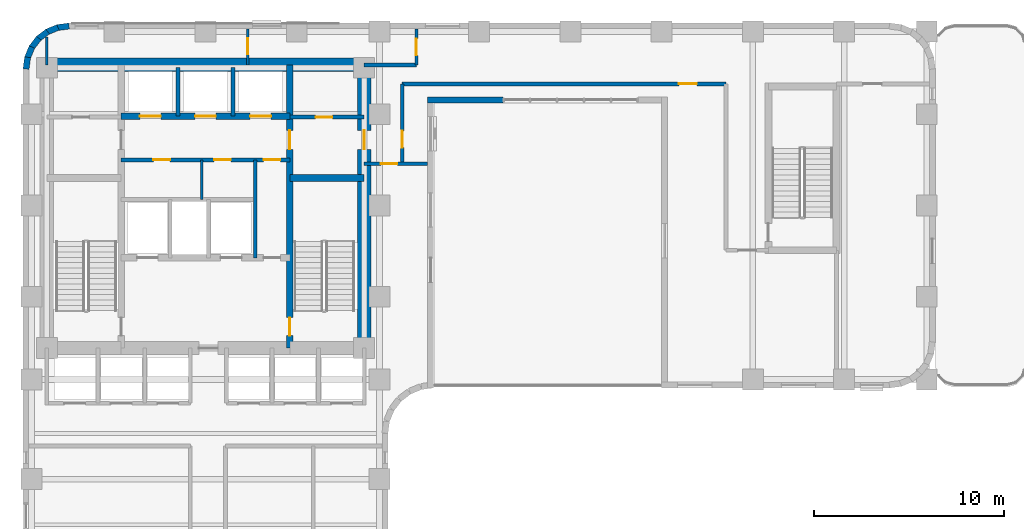
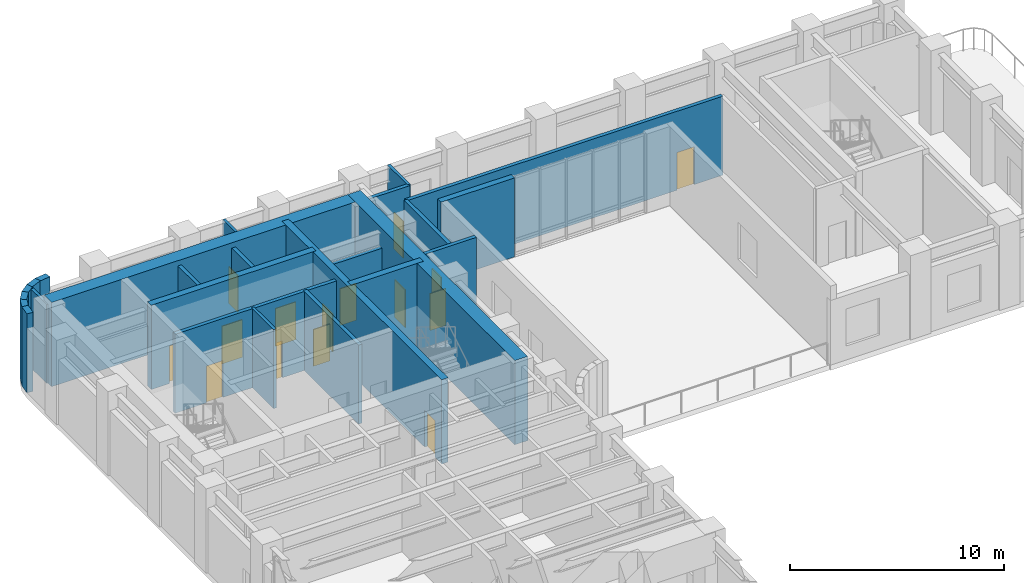
# One storey, part 8 of 12: 25 walls, 15 doors, 15 openings.
"""IFC4 building model written with IfcOpenShell, lengths in metres."""

from ifc_helpers import new_model, si_unit, direction, frame, frame_2d, origin, place, context, subcontext, project, spatial, rectangle, extrude, material, layer, layer_set, type_object, element, fill, save


model = new_model("IFC4")

# Units and contexts
model_context = context("Model", 3, precision=1e-05, world=origin(), true_north=direction((0.0, 1.0)))
body_context = subcontext(model_context, "Body", "Model", "MODEL_VIEW")
ifc_project = project(units=[si_unit("LENGTHUNIT", "METRE"), si_unit("AREAUNIT", "SQUARE_METRE"), si_unit("VOLUMEUNIT", "CUBIC_METRE"), si_unit("PLANEANGLEUNIT", "RADIAN"), si_unit("MASSUNIT", "GRAM", prefix="KILO")], contexts=[model_context])

# Site, building, storey
site_placement = place(None, origin())
site = spatial("IfcSite", under=ifc_project, at=site_placement, CompositionType="ELEMENT")
building_placement = place(site_placement, origin())
building = spatial("IfcBuilding", under=site, at=building_placement, Name="Orvandelia Arch Residences", CompositionType="ELEMENT")
storey_placement = place(building_placement, frame((0.0, 0.0, 97.0)))
storey = spatial("IfcBuildingStorey", under=building, at=storey_placement, Name="L25", CompositionType="ELEMENT", Elevation=97.0)

# Wall, openings, doors
ifc_material_1 = material(Name="Concrete C50/60", Category="concrete")
ifc_layer_1 = layer(ifc_material_1, 0.35009765625, Name="Concrete C50/60", Category="concrete")
ifc_layer_set_1 = layer_set([ifc_layer_1], Name="Concrete C50/60")
wall_type_1 = type_object("IfcWallType", Name="WL-CORE-350", PredefinedType="SHEAR", material=ifc_layer_set_1)
wall_1_placement = place(storey_placement, frame((18.840087890625, 30.89990234375, 0.0), z_axis=(0.0, 0.0, 1.0), x_axis=(0.0, 1.0, 0.0)))
wall_1 = element("IfcWall", 1, at=wall_1_placement, inside=storey, type_object=wall_type_1, Name="Core Shear Wall L25-WEB2", PredefinedType="SHEAR", context=body_context, shape_type="SweptSolid", body=[
    extrude(rectangle(XDim=14.900146484375, YDim=0.35009765625, at=frame_2d((7.4501953125, 0.0))), origin(), (0.0, 0.0, 1.0), 4.800048828125),
])
opening_1_placement = place(wall_1_placement, frame((0.64990234375, 0.0, 0.0)))
opening_1 = element("IfcOpeningElement", 2, at=opening_1_placement, cuts=wall_1, Name="Opening D7", PredefinedType="OPENING", context=body_context, shape_type="SweptSolid", body=[
    extrude(rectangle(XDim=0.949951171875, YDim=2.10009765625, at=frame_2d((0.47509765625, 1.050048828125))), frame((0.0, 0.18505859375, 0.0), z_axis=(0.0, -1.0, 0.0), x_axis=(1.0, 0.0, 0.0)), (0.0, 0.0, 1.0), 0.3701171875),
])
opening_2_placement = place(wall_1_placement, frame((10.449951171875, 0.0, 0.0)))
opening_2 = element("IfcOpeningElement", 3, at=opening_2_placement, cuts=wall_1, Name="Opening D6", PredefinedType="OPENING", context=body_context, shape_type="SweptSolid", body=[
    extrude(rectangle(XDim=1.0, YDim=2.14990234375, at=frame_2d((0.5, 1.074951171875))), frame((0.0, 0.18505859375, 0.0), z_axis=(0.0, -1.0, 0.0), x_axis=(1.0, 0.0, 0.0)), (0.0, 0.0, 1.0), 0.3701171875),
])
ifc_material_2 = material(Name="Smokeproof Painted Steel Fire Door", Category="steel")
door_type_1 = type_object("IfcDoorType", Name="DR-FD60-1000", OperationType="NOTDEFINED", PredefinedType="DOOR", material=ifc_material_2)
door_1_placement = place(opening_2_placement, origin())
door_1 = element("IfcDoor", 4, at=door_1_placement, inside=storey, type_object=door_type_1, Name="High-Rise Lift Hall East Vestibule Door L25", OperationType="SINGLE_SWING_RIGHT", OverallHeight=2.14990234375, OverallWidth=1.0, PredefinedType="DOOR", context=body_context, shape_type="SweptSolid", body=[
    extrude(rectangle(XDim=1.0, YDim=2.14990234375, at=frame_2d((0.5, 1.074951171875))), frame((0.0, 0.02490234375, 0.0), z_axis=(0.0, -1.0, 0.0), x_axis=(1.0, 0.0, 0.0)), (0.0, 0.0, 1.0), 0.050048828125),
])
fill(opening_2, door_1)
ifc_material_3 = material(Name="Pressurised Stairwell Fire Door")
door_type_2 = type_object("IfcDoorType", Name="DR-STAIR-950", OperationType="NOTDEFINED", PredefinedType="DOOR", material=ifc_material_3)
door_2_placement = place(opening_1_placement, origin())
door_2 = element("IfcDoor", 5, at=door_2_placement, inside=storey, type_object=door_type_2, Name="Stairwell ST-2 Fire Door L25", OperationType="SINGLE_SWING_RIGHT", OverallHeight=2.10009765625, OverallWidth=0.949951171875, PredefinedType="DOOR", context=body_context, shape_type="SweptSolid", body=[
    extrude(rectangle(XDim=0.949951171875, YDim=2.10009765625, at=frame_2d((0.47509765625, 1.050048828125))), frame((0.0, 0.02490234375, 0.0), z_axis=(0.0, -1.0, 0.0), x_axis=(1.0, 0.0, 0.0)), (0.0, 0.0, 1.0), 0.050048828125),
])
fill(opening_1, door_2)

# Wall
wall_2_placement = place(storey_placement, frame((18.840087890625, 39.85009765625, 0.0), z_axis=(0.0, 0.0, 1.0), x_axis=(1.0, 0.0, 0.0)))
element("IfcWall", 6, at=wall_2_placement, inside=storey, type_object=wall_type_1, Name="Core Shear Wall L25-HZ2", PredefinedType="SHEAR", context=body_context, shape_type="SweptSolid", body=[
    extrude(rectangle(XDim=3.909912109375, YDim=0.35009765625, at=frame_2d((1.955078125, 0.0))), origin(), (0.0, 0.0, 1.0), 4.800048828125),
])

# Wall, openings, doors
wall_3_placement = place(storey_placement, frame((9.9599609375, 43.10009765625, 0.0), z_axis=(0.0, 0.0, 1.0), x_axis=(1.0, 0.0, 0.0)))
wall_3 = element("IfcWall", 7, at=wall_3_placement, inside=storey, type_object=wall_type_1, Name="Core Shear Wall L25-HZ4", PredefinedType="SHEAR", context=body_context, shape_type="SweptSolid", body=[
    extrude(rectangle(XDim=8.880126953125, YDim=0.35009765625, at=frame_2d((4.43994140625, 0.0))), origin(), (0.0, 0.0, 1.0), 4.800048828125),
])
opening_3_placement = place(wall_3_placement, frame((0.989990234375, 0.0, 0.0)))
opening_3 = element("IfcOpeningElement", 8, at=opening_3_placement, cuts=wall_3, Name="Opening LD", PredefinedType="OPENING", context=body_context, shape_type="SweptSolid", body=[
    extrude(rectangle(XDim=1.10009765625, YDim=2.14990234375, at=frame_2d((0.550048828125, 1.074951171875))), frame((0.0, 0.18505859375, 0.0), z_axis=(0.0, -1.0, 0.0), x_axis=(1.0, 0.0, 0.0)), (0.0, 0.0, 1.0), 0.3701171875),
])
opening_4_placement = place(wall_3_placement, frame((3.889892578125, 0.0, 0.0)))
opening_4 = element("IfcOpeningElement", 9, at=opening_4_placement, cuts=wall_3, Name="Opening LD", PredefinedType="OPENING", context=body_context, shape_type="SweptSolid", body=[
    extrude(rectangle(XDim=1.10009765625, YDim=2.14990234375, at=frame_2d((0.550048828125, 1.074951171875))), frame((0.0, 0.18505859375, 0.0), z_axis=(0.0, -1.0, 0.0), x_axis=(1.0, 0.0, 0.0)), (0.0, 0.0, 1.0), 0.3701171875),
])
opening_5_placement = place(wall_3_placement, frame((6.7900390625, 0.0, 0.0)))
opening_5 = element("IfcOpeningElement", 10, at=opening_5_placement, cuts=wall_3, Name="Opening LD", PredefinedType="OPENING", context=body_context, shape_type="SweptSolid", body=[
    extrude(rectangle(XDim=1.10009765625, YDim=2.14990234375, at=frame_2d((0.550048828125, 1.074951171875))), frame((0.0, 0.18505859375, 0.0), z_axis=(0.0, -1.0, 0.0), x_axis=(1.0, 0.0, 0.0)), (0.0, 0.0, 1.0), 0.3701171875),
])
ifc_material_4 = material(Name="Brushed Stainless Steel Sliding Lift Door", Category="steel")
door_type_3 = type_object("IfcDoorType", Name="DR-LIFT-1100", OperationType="NOTDEFINED", PredefinedType="DOOR", material=ifc_material_4)
door_3_placement = place(opening_3_placement, origin())
door_3 = element("IfcDoor", 11, at=door_3_placement, inside=storey, type_object=door_type_3, Name="Lift Landing Door LD-PH1-L25", OperationType="SLIDING_TO_LEFT", OverallHeight=2.14990234375, OverallWidth=1.10009765625, PredefinedType="DOOR", context=body_context, shape_type="SweptSolid", body=[
    extrude(rectangle(XDim=1.10009765625, YDim=2.14990234375, at=frame_2d((0.550048828125, 1.074951171875))), frame((0.0, 0.02490234375, 0.0), z_axis=(0.0, -1.0, 0.0), x_axis=(1.0, 0.0, 0.0)), (0.0, 0.0, 1.0), 0.050048828125),
])
fill(opening_3, door_3)
door_4_placement = place(opening_4_placement, origin())
door_4 = element("IfcDoor", 12, at=door_4_placement, inside=storey, type_object=door_type_3, Name="Lift Landing Door LD-PH2-L25", OperationType="SLIDING_TO_RIGHT", OverallHeight=2.14990234375, OverallWidth=1.10009765625, PredefinedType="DOOR", context=body_context, shape_type="SweptSolid", body=[
    extrude(rectangle(XDim=1.10009765625, YDim=2.14990234375, at=frame_2d((0.550048828125, 1.074951171875))), frame((0.0, 0.02490234375, 0.0), z_axis=(0.0, -1.0, 0.0), x_axis=(1.0, 0.0, 0.0)), (0.0, 0.0, 1.0), 0.050048828125),
])
fill(opening_4, door_4)
door_5_placement = place(opening_5_placement, origin())
door_5 = element("IfcDoor", 13, at=door_5_placement, inside=storey, type_object=door_type_3, Name="Lift Landing Door LD-PH3-L25", OperationType="SLIDING_TO_LEFT", OverallHeight=2.14990234375, OverallWidth=1.10009765625, PredefinedType="DOOR", context=body_context, shape_type="SweptSolid", body=[
    extrude(rectangle(XDim=1.10009765625, YDim=2.14990234375, at=frame_2d((0.550048828125, 1.074951171875))), frame((0.0, 0.02490234375, 0.0), z_axis=(0.0, -1.0, 0.0), x_axis=(1.0, 0.0, 0.0)), (0.0, 0.0, 1.0), 0.050048828125),
])
fill(opening_5, door_5)

# Wall, opening, door
ifc_material_5 = material(Name="Concrete C80/95", Category="concrete")
ifc_layer_2 = layer(ifc_material_5, 0.699951171875, Name="Concrete C80/95", Category="concrete")
ifc_layer_set_2 = layer_set([ifc_layer_2], Name="Concrete C80/95")
wall_type_2 = type_object("IfcWallType", Name="WL-CORE-700", PredefinedType="SHEAR", material=ifc_layer_set_2)
wall_4_placement = place(storey_placement, frame((22.75, 30.550048828125, 0.0), z_axis=(0.0, 0.0, 1.0), x_axis=(0.0, 1.0, 0.0)))
wall_4 = element("IfcWall", 14, at=wall_4_placement, inside=storey, type_object=wall_type_2, Name="Core Shear Wall L25-E", PredefinedType="SHEAR", context=body_context, shape_type="SweptSolid", body=[
    extrude(rectangle(XDim=15.599853515625, YDim=0.699951171875, at=frame_2d((7.7998046875, 0.0))), origin(), (0.0, 0.0, 1.0), 4.800048828125),
])
opening_6_placement = place(wall_4_placement, frame((10.800048828125, 0.0, 0.0)))
opening_6 = element("IfcOpeningElement", 15, at=opening_6_placement, cuts=wall_4, Name="Opening D6", PredefinedType="OPENING", context=body_context, shape_type="SweptSolid", body=[
    extrude(rectangle(XDim=1.0, YDim=2.14990234375, at=frame_2d((0.5, 1.074951171875))), frame((0.0, 0.35986328125, 0.0), z_axis=(0.0, -1.0, 0.0), x_axis=(1.0, 0.0, 0.0)), (0.0, 0.0, 1.0), 0.719970703125),
])
door_6_placement = place(opening_6_placement, origin())
door_6 = element("IfcDoor", 16, at=door_6_placement, inside=storey, type_object=door_type_1, Name="Core East Corridor Link Door L25", OperationType="SINGLE_SWING_LEFT", OverallHeight=2.14990234375, OverallWidth=1.0, PredefinedType="DOOR", context=body_context, shape_type="SweptSolid", body=[
    extrude(rectangle(XDim=1.0, YDim=2.14990234375, at=frame_2d((0.5, 1.074951171875))), frame((0.0, 0.02490234375, 0.0), z_axis=(0.0, -1.0, 0.0), x_axis=(1.0, 0.0, 0.0)), (0.0, 0.0, 1.0), 0.050048828125),
])
fill(opening_6, door_6)

# Walls
wall_5_placement = place(storey_placement, frame((6.050048828125, 45.800048828125, 0.0), z_axis=(0.0, 0.0, 1.0), x_axis=(1.0, 0.0, 0.0)))
element("IfcWall", 17, at=wall_5_placement, inside=storey, type_object=wall_type_2, Name="Core Shear Wall L25-N", PredefinedType="SHEAR", context=body_context, shape_type="SweptSolid", body=[
    extrude(rectangle(XDim=16.699951171875, YDim=0.699951171875, at=frame_2d((8.35009765625, 0.0))), origin(), (0.0, 0.0, 1.0), 4.800048828125),
])
ifc_material_6 = material(Name="Fire-Rated Corridor Partition")
ifc_layer_3 = layer(ifc_material_6, 0.199951171875, Name="Fire-Rated Corridor Partition")
ifc_layer_set_3 = layer_set([ifc_layer_3], Name="Fire-Rated Corridor Partition")
wall_type_3 = type_object("IfcWallType", Name="WL-CORR-200", PredefinedType="PARTITIONING", material=ifc_layer_set_3)
wall_6_placement = place(storey_placement, frame((22.75, 45.800048828125, 0.0), z_axis=(0.0, 0.0, 1.0), x_axis=(1.0, 0.0, 0.0)))
element("IfcWall", 18, at=wall_6_placement, inside=storey, type_object=wall_type_3, Name="Interior Partition Wall WL-L25-SKNC-S", PredefinedType="PARTITIONING", context=body_context, shape_type="SweptSolid", body=[
    extrude(rectangle(XDim=2.75, YDim=0.199951171875, at=frame_2d((1.375, 0.0))), origin(), (0.0, 0.0, 1.0), 4.5),
])

# Wall, opening, door
wall_7_placement = place(storey_placement, frame((24.75, 44.800048828125, 0.0), z_axis=(0.0, 0.0, 1.0), x_axis=(1.0, 0.0, 0.0)))
wall_7 = element("IfcWall", 19, at=wall_7_placement, inside=storey, type_object=wall_type_3, Name="Interior Partition Wall WL-L25-SKES1", PredefinedType="PARTITIONING", context=body_context, shape_type="SweptSolid", body=[
    extrude(rectangle(XDim=17.030029296875, YDim=0.199951171875, at=frame_2d((8.51513671875, 0.0))), origin(), (0.0, 0.0, 1.0), 4.5),
])
opening_7_placement = place(wall_7_placement, frame((14.550048828125, 0.0, 0.0)))
opening_7 = element("IfcOpeningElement", 20, at=opening_7_placement, cuts=wall_7, Name="Opening D2", PredefinedType="OPENING", context=body_context, shape_type="SweptSolid", body=[
    extrude(rectangle(XDim=0.949951171875, YDim=2.14990234375, at=frame_2d((0.47509765625, 1.074951171875))), frame((0.0, 0.10986328125, 0.0), z_axis=(0.0, -1.0, 0.0), x_axis=(1.0, 0.0, 0.0)), (0.0, 0.0, 1.0), 0.219970703125),
])
ifc_material_7 = material(Name="Solid-Core Timber Interior Fire Door", Category="wood")
door_type_4 = type_object("IfcDoorType", Name="DR-APT-950", OperationType="NOTDEFINED", PredefinedType="DOOR", material=ifc_material_7)
door_7_placement = place(opening_7_placement, origin())
door_7 = element("IfcDoor", 21, at=door_7_placement, inside=storey, type_object=door_type_4, Name="DR-L25-SKEL1", OperationType="SINGLE_SWING_LEFT", OverallHeight=2.14990234375, OverallWidth=0.949951171875, PredefinedType="DOOR", context=body_context, shape_type="SweptSolid", body=[
    extrude(rectangle(XDim=0.949951171875, YDim=2.14990234375, at=frame_2d((0.47509765625, 1.074951171875))), frame((0.0, 0.02490234375, 0.0), z_axis=(0.0, -1.0, 0.0), x_axis=(1.0, 0.0, 0.0)), (0.0, 0.0, 1.0), 0.050048828125),
])
fill(opening_7, door_7)

wall_8_placement = place(storey_placement, frame((24.75, 40.60009765625, 0.0), z_axis=(0.0, 0.0, 1.0), x_axis=(0.0, 1.0, 0.0)))
wall_8 = element("IfcWall", 22, at=wall_8_placement, inside=storey, type_object=wall_type_3, Name="Interior Partition Wall WL-L25-SKELW", PredefinedType="PARTITIONING", context=body_context, shape_type="SweptSolid", body=[
    extrude(rectangle(XDim=4.199951171875, YDim=0.199951171875, at=frame_2d((2.10009765625, 0.0))), origin(), (0.0, 0.0, 1.0), 4.5),
])
opening_8_placement = place(wall_8_placement, frame((0.85009765625, 0.0, 0.0)))
opening_8 = element("IfcOpeningElement", 23, at=opening_8_placement, cuts=wall_8, Name="Opening D5", PredefinedType="OPENING", context=body_context, shape_type="SweptSolid", body=[
    extrude(rectangle(XDim=0.8798828125, YDim=2.10009765625, at=frame_2d((0.43994140625, 1.050048828125))), frame((0.0, 0.10986328125, 0.0), z_axis=(0.0, -1.0, 0.0), x_axis=(1.0, 0.0, 0.0)), (0.0, 0.0, 1.0), 0.219970703125),
])
ifc_material_8 = material(Name="Painted Galvanised Steel Service Door", Category="steel")
door_type_5 = type_object("IfcDoorType", Name="DR-SRV-880", OperationType="NOTDEFINED", PredefinedType="DOOR", material=ifc_material_8)
door_8_placement = place(opening_8_placement, origin())
door_8 = element("IfcDoor", 24, at=door_8_placement, inside=storey, type_object=door_type_5, Name="DR-L25-SKWFOY", OperationType="SINGLE_SWING_RIGHT", OverallHeight=2.10009765625, OverallWidth=0.8798828125, PredefinedType="DOOR", context=body_context, shape_type="SweptSolid", body=[
    extrude(rectangle(XDim=0.8798828125, YDim=2.10009765625, at=frame_2d((0.43994140625, 1.050048828125))), frame((0.0, 0.02490234375, 0.0), z_axis=(0.0, -1.0, 0.0), x_axis=(1.0, 0.0, 0.0)), (0.0, 0.0, 1.0), 0.050048828125),
])
fill(opening_8, door_8)

wall_9_placement = place(storey_placement, frame((22.75, 40.60009765625, 0.0), z_axis=(0.0, 0.0, 1.0), x_axis=(1.0, 0.0, 0.0)))
wall_9 = element("IfcWall", 25, at=wall_9_placement, inside=storey, type_object=wall_type_3, Name="Interior Partition Wall WL-L25-SKELS", PredefinedType="PARTITIONING", context=body_context, shape_type="SweptSolid", body=[
    extrude(rectangle(XDim=3.330078125, YDim=0.199951171875, at=frame_2d((1.6650390625, 0.0))), origin(), (0.0, 0.0, 1.0), 4.5),
])
opening_9_placement = place(wall_9_placement, frame((0.8798828125, 0.0, 0.0)))
opening_9 = element("IfcOpeningElement", 26, at=opening_9_placement, cuts=wall_9, Name="Opening D4", PredefinedType="OPENING", context=body_context, shape_type="SweptSolid", body=[
    extrude(rectangle(XDim=0.860107421875, YDim=2.10009765625, at=frame_2d((0.43017578125, 1.050048828125))), frame((0.0, 0.10986328125, 0.0), z_axis=(0.0, -1.0, 0.0), x_axis=(1.0, 0.0, 0.0)), (0.0, 0.0, 1.0), 0.219970703125),
])
ifc_material_9 = material(Name="Moisture-Sealed Timber Bathroom Door", Category="wood")
door_type_6 = type_object("IfcDoorType", Name="DR-WET-900", OperationType="NOTDEFINED", PredefinedType="DOOR", material=ifc_material_9)
door_9_placement = place(opening_9_placement, origin())
door_9 = element("IfcDoor", 27, at=door_9_placement, inside=storey, type_object=door_type_6, Name="DR-L25-SKWLNG", OperationType="SINGLE_SWING_LEFT", OverallHeight=2.10009765625, OverallWidth=0.860107421875, PredefinedType="DOOR", context=body_context, shape_type="SweptSolid", body=[
    extrude(rectangle(XDim=0.860107421875, YDim=2.10009765625, at=frame_2d((0.43017578125, 1.050048828125))), frame((0.0, 0.02490234375, 0.0), z_axis=(0.0, -1.0, 0.0), x_axis=(1.0, 0.0, 0.0)), (0.0, 0.0, 1.0), 0.050048828125),
])
fill(opening_9, door_9)

# Walls
ifc_material_10 = material(Name="Precast concrete C40/50", Category="concrete")
ifc_layer_4 = layer(ifc_material_10, 0.320068359375, Name="Precast concrete C40/50", Category="concrete")
ifc_layer_set_4 = layer_set([ifc_layer_4], Name="Precast concrete C40/50")
wall_type_4 = type_object("IfcWallType", Name="WL-EXT-STONE-320", PredefinedType="STANDARD", material=ifc_layer_set_4)
for number, where, z_axis, x_axis, name in (
    (28, (4.95849609375, 45.5791015625, 0.0), (0.0, 0.0, 1.0), (0.130555323746, 0.9914410257, 0.0), "Coral-Limestone Precast Facade Wall L25-001"),
    (29, (5.029541015625, 46.159912109375, 0.0), (0.0, 0.0, 1.0), (0.382650053678, 0.92389335771, 0.0), "Coral-Limestone Precast Facade Wall L25-002"),
):
    element("IfcWall", number, at=place(storey_placement, frame(where, z_axis=z_axis, x_axis=x_axis)), inside=storey, type_object=wall_type_4, Name=name, PredefinedType="STANDARD", context=body_context, shape_type="SweptSolid", body=[
        extrude(rectangle(XDim=0.62646484375, YDim=0.320068359375, at=frame_2d((0.313232421875, 0.0))), origin(), (0.0, 0.0, 1.0), 4.5),
    ])
wall_10_placement = place(storey_placement, frame((5.248291015625, 46.70263671875, 0.0), z_axis=(0.0, 0.0, 1.0), x_axis=(0.608938521285, 0.7932174212, 0.0)))
element("IfcWall", 30, at=wall_10_placement, inside=storey, type_object=wall_type_4, Name="Coral-Limestone Precast Facade Wall L25-003", PredefinedType="STANDARD", context=body_context, shape_type="SweptSolid", body=[
    extrude(rectangle(XDim=0.626708984375, YDim=0.320068359375, at=frame_2d((0.3134765625, 0.0))), origin(), (0.0, 0.0, 1.0), 4.5),
])
wall_11_placement = place(storey_placement, frame((5.600341796875, 47.170166015625, 0.0), z_axis=(0.0, 0.0, 1.0), x_axis=(0.793405610854, 0.608693302629, 0.0)))
element("IfcWall", 31, at=wall_11_placement, inside=storey, type_object=wall_type_4, Name="Coral-Limestone Precast Facade Wall L25-004", PredefinedType="STANDARD", context=body_context, shape_type="SweptSolid", body=[
    extrude(rectangle(XDim=0.62646484375, YDim=0.320068359375, at=frame_2d((0.313232421875, 0.0))), origin(), (0.0, 0.0, 1.0), 4.5),
])
wall_12_placement = place(storey_placement, frame((6.061279296875, 47.53076171875, 0.0), z_axis=(0.0, 0.0, 1.0), x_axis=(0.923836271867, 0.382787856107, 0.0)))
element("IfcWall", 32, at=wall_12_placement, inside=storey, type_object=wall_type_4, Name="Coral-Limestone Precast Facade Wall L25-005", PredefinedType="STANDARD", context=body_context, shape_type="SweptSolid", body=[
    extrude(rectangle(XDim=0.626220703125, YDim=0.320068359375, at=frame_2d((0.31298828125, 0.0))), origin(), (0.0, 0.0, 1.0), 4.5),
])
wall_13_placement = place(storey_placement, frame((6.599609375, 47.759521484375, 0.0), z_axis=(0.0, 0.0, 1.0), x_axis=(0.991447664465, 0.130504898859, 0.0)))
element("IfcWall", 33, at=wall_13_placement, inside=storey, type_object=wall_type_4, Name="Coral-Limestone Precast Facade Wall L25-006", PredefinedType="STANDARD", context=body_context, shape_type="SweptSolid", body=[
    extrude(rectangle(XDim=0.626708984375, YDim=0.320068359375, at=frame_2d((0.3134765625, 0.0))), origin(), (0.0, 0.0, 1.0), 4.5),
])
wall_14_placement = place(storey_placement, frame((30.0400390625, 43.9599609375, 0.0), z_axis=(0.0, 0.0, 1.0), x_axis=(-1.0, 0.0, 0.0)))
element("IfcWall", 34, at=wall_14_placement, inside=storey, type_object=wall_type_4, Name="Coral-Limestone Precast Facade Wall L25-024", PredefinedType="STANDARD", context=body_context, shape_type="SweptSolid", body=[
    extrude(rectangle(XDim=3.9599609375, YDim=0.320068359375, at=frame_2d((1.97998046875, 0.0))), origin(), (0.0, 0.0, 1.0), 4.5),
])
ifc_material_11 = material(Name="Acoustic Gypsum Stud Partition")
ifc_layer_5 = layer(ifc_material_11, 0.14990234375, Name="Acoustic Gypsum Stud Partition")
ifc_layer_set_5 = layer_set([ifc_layer_5], Name="Acoustic Gypsum Stud Partition")
wall_type_5 = type_object("IfcWallType", Name="WL-PART-150", PredefinedType="PARTITIONING", material=ifc_layer_set_5)
wall_15_placement = place(storey_placement, frame((14.199951171875, 38.719970703125, 0.0), z_axis=(0.0, 0.0, 1.0), x_axis=(0.0, 1.0, 0.0)))
element("IfcWall", 35, at=wall_15_placement, inside=storey, type_object=wall_type_5, Name="Interior Partition Wall WL-L25-CSA-1", PredefinedType="PARTITIONING", context=body_context, shape_type="SweptSolid", body=[
    extrude(rectangle(XDim=2.080078125, YDim=0.14990234375, at=frame_2d((1.0400390625, 0.0))), origin(), (0.0, 0.0, 1.0), 4.5),
])

# Wall, opening, door
wall_16_placement = place(storey_placement, frame((25.5, 45.800048828125, 0.0), z_axis=(0.0, 0.0, 1.0), x_axis=(0.0, 1.0, 0.0)))
wall_16 = element("IfcWall", 36, at=wall_16_placement, inside=storey, type_object=wall_type_5, Name="Interior Partition Wall WL-L25-SKNC-E", PredefinedType="PARTITIONING", context=body_context, shape_type="SweptSolid", body=[
    extrude(rectangle(XDim=1.8798828125, YDim=0.14990234375, at=frame_2d((0.93994140625, 0.0))), origin(), (0.0, 0.0, 1.0), 4.5),
])
opening_10_placement = place(wall_16_placement, frame((0.5, 0.0, 0.0)))
opening_10 = element("IfcOpeningElement", 37, at=opening_10_placement, cuts=wall_16, Name="Opening D5", PredefinedType="OPENING", context=body_context, shape_type="SweptSolid", body=[
    extrude(rectangle(XDim=0.8798828125, YDim=2.10009765625, at=frame_2d((0.43994140625, 1.050048828125))), frame((0.0, 0.0849609375, 0.0), z_axis=(0.0, -1.0, 0.0), x_axis=(1.0, 0.0, 0.0)), (0.0, 0.0, 1.0), 0.169921875),
])
door_10_placement = place(opening_10_placement, origin())
door_10 = element("IfcDoor", 38, at=door_10_placement, inside=storey, type_object=door_type_5, Name="DR-L25-SKNP2", OperationType="SINGLE_SWING_LEFT", OverallHeight=2.10009765625, OverallWidth=0.8798828125, PredefinedType="DOOR", context=body_context, shape_type="SweptSolid", body=[
    extrude(rectangle(XDim=0.8798828125, YDim=2.10009765625, at=frame_2d((0.43994140625, 1.050048828125))), frame((0.0, 0.02490234375, 0.0), z_axis=(0.0, -1.0, 0.0), x_axis=(1.0, 0.0, 0.0)), (0.0, 0.0, 1.0), 0.050048828125),
])
fill(opening_10, door_10)

# Wall
wall_17_placement = place(storey_placement, frame((6.050048828125, 45.800048828125, 0.0), z_axis=(0.0, 0.0, 1.0), x_axis=(0.0, 1.0, 0.0)))
element("IfcWall", 39, at=wall_17_placement, inside=storey, type_object=wall_type_5, Name="Interior Partition Wall WL-L25-SKNC-W6", PredefinedType="PARTITIONING", context=body_context, shape_type="SweptSolid", body=[
    extrude(rectangle(XDim=1.4599609375, YDim=0.14990234375, at=frame_2d((0.72998046875, 0.0))), origin(), (0.0, 0.0, 1.0), 4.5),
])

# Wall, opening, door
wall_18_placement = place(storey_placement, frame((16.6201171875, 45.800048828125, 0.0), z_axis=(0.0, 0.0, 1.0), x_axis=(0.0, 1.0, 0.0)))
wall_18 = element("IfcWall", 40, at=wall_18_placement, inside=storey, type_object=wall_type_5, Name="Interior Partition Wall WL-L25-SKNC-M", PredefinedType="PARTITIONING", context=body_context, shape_type="SweptSolid", body=[
    extrude(rectangle(XDim=1.8798828125, YDim=0.14990234375, at=frame_2d((0.93994140625, 0.0))), origin(), (0.0, 0.0, 1.0), 4.5),
])
opening_11_placement = place(wall_18_placement, frame((0.550048828125, 0.0, 0.0)))
opening_11 = element("IfcOpeningElement", 41, at=opening_11_placement, cuts=wall_18, Name="Opening D4", PredefinedType="OPENING", context=body_context, shape_type="SweptSolid", body=[
    extrude(rectangle(XDim=0.860107421875, YDim=2.10009765625, at=frame_2d((0.43017578125, 1.050048828125))), frame((0.0, 0.0849609375, 0.0), z_axis=(0.0, -1.0, 0.0), x_axis=(1.0, 0.0, 0.0)), (0.0, 0.0, 1.0), 0.169921875),
])
door_11_placement = place(opening_11_placement, origin())
door_11 = element("IfcDoor", 42, at=door_11_placement, inside=storey, type_object=door_type_6, Name="DR-L25-SKNP1", OperationType="SINGLE_SWING_LEFT", OverallHeight=2.10009765625, OverallWidth=0.860107421875, PredefinedType="DOOR", context=body_context, shape_type="SweptSolid", body=[
    extrude(rectangle(XDim=0.860107421875, YDim=2.10009765625, at=frame_2d((0.43017578125, 1.050048828125))), frame((0.0, 0.02490234375, 0.0), z_axis=(0.0, -1.0, 0.0), x_axis=(1.0, 0.0, 0.0)), (0.0, 0.0, 1.0), 0.050048828125),
])
fill(opening_11, door_11)

# Wall
ifc_material_12 = material(Name="Fire-Rated Shaft Enclosure Wall")
ifc_layer_6 = layer(ifc_material_12, 0.199951171875, Name="Fire-Rated Shaft Enclosure Wall")
ifc_layer_set_6 = layer_set([ifc_layer_6], Name="Fire-Rated Shaft Enclosure Wall")
wall_type_6 = type_object("IfcWallType", Name="WL-SHAFT-200", PredefinedType="POLYGONAL", material=ifc_layer_set_6)
wall_19_placement = place(storey_placement, frame((17.02001953125, 35.64990234375, 0.0), z_axis=(0.0, 0.0, 1.0), x_axis=(0.0, 1.0, 0.0)))
element("IfcWall", 43, at=wall_19_placement, inside=storey, type_object=wall_type_6, Name="Interior Partition Wall WL-L25-FLM3", PredefinedType="POLYGONAL", context=body_context, shape_type="SweptSolid", body=[
    extrude(rectangle(XDim=5.150146484375, YDim=0.199951171875, at=frame_2d((2.5751953125, 0.0))), origin(), (0.0, 0.0, 1.0), 4.5),
])

# Wall, openings, doors
wall_20_placement = place(storey_placement, frame((9.9599609375, 40.800048828125, 0.0), z_axis=(0.0, 0.0, 1.0), x_axis=(1.0, 0.0, 0.0)))
wall_20 = element("IfcWall", 44, at=wall_20_placement, inside=storey, type_object=wall_type_6, Name="Interior Partition Wall WL-L25-HLH-S", PredefinedType="POLYGONAL", context=body_context, shape_type="SweptSolid", body=[
    extrude(rectangle(XDim=8.880126953125, YDim=0.199951171875, at=frame_2d((4.43994140625, 0.0))), origin(), (0.0, 0.0, 1.0), 4.5),
])
opening_12_placement = place(wall_20_placement, frame((7.5, 0.0, 0.0)))
opening_12 = element("IfcOpeningElement", 45, at=opening_12_placement, cuts=wall_20, Name="Opening D5", PredefinedType="OPENING", context=body_context, shape_type="SweptSolid", body=[
    extrude(rectangle(XDim=0.8798828125, YDim=2.10009765625, at=frame_2d((0.43994140625, 1.050048828125))), frame((0.0, 0.10986328125, 0.0), z_axis=(0.0, -1.0, 0.0), x_axis=(1.0, 0.0, 0.0)), (0.0, 0.0, 1.0), 0.219970703125),
])
opening_13_placement = place(wall_20_placement, frame((1.699951171875, 0.0, 0.0)))
opening_13 = element("IfcOpeningElement", 46, at=opening_13_placement, cuts=wall_20, Name="Opening D5", PredefinedType="OPENING", context=body_context, shape_type="SweptSolid", body=[
    extrude(rectangle(XDim=0.8798828125, YDim=2.10009765625, at=frame_2d((0.43994140625, 1.050048828125))), frame((0.0, 0.10986328125, 0.0), z_axis=(0.0, -1.0, 0.0), x_axis=(1.0, 0.0, 0.0)), (0.0, 0.0, 1.0), 0.219970703125),
])
opening_14_placement = place(wall_20_placement, frame((4.89990234375, 0.0, 0.0)))
opening_14 = element("IfcOpeningElement", 47, at=opening_14_placement, cuts=wall_20, Name="Opening D5", PredefinedType="OPENING", context=body_context, shape_type="SweptSolid", body=[
    extrude(rectangle(XDim=0.8798828125, YDim=2.10009765625, at=frame_2d((0.43994140625, 1.050048828125))), frame((0.0, 0.10986328125, 0.0), z_axis=(0.0, -1.0, 0.0), x_axis=(1.0, 0.0, 0.0)), (0.0, 0.0, 1.0), 0.219970703125),
])
door_12_placement = place(opening_12_placement, origin())
door_12 = element("IfcDoor", 48, at=door_12_placement, inside=storey, type_object=door_type_5, Name="Core Stairway Passage North Fire Door L25", OperationType="SINGLE_SWING_RIGHT", OverallHeight=2.10009765625, OverallWidth=0.8798828125, PredefinedType="DOOR", context=body_context, shape_type="SweptSolid", body=[
    extrude(rectangle(XDim=0.8798828125, YDim=2.10009765625, at=frame_2d((0.43994140625, 1.050048828125))), frame((0.0, 0.02490234375, 0.0), z_axis=(0.0, -1.0, 0.0), x_axis=(1.0, 0.0, 0.0)), (0.0, 0.0, 1.0), 0.050048828125),
])
fill(opening_12, door_12)
door_13_placement = place(opening_13_placement, origin())
door_13 = element("IfcDoor", 49, at=door_13_placement, inside=storey, type_object=door_type_5, Name="DR-L25-CSA1", OperationType="SINGLE_SWING_LEFT", OverallHeight=2.10009765625, OverallWidth=0.8798828125, PredefinedType="DOOR", context=body_context, shape_type="SweptSolid", body=[
    extrude(rectangle(XDim=0.8798828125, YDim=2.10009765625, at=frame_2d((0.43994140625, 1.050048828125))), frame((0.0, 0.02490234375, 0.0), z_axis=(0.0, -1.0, 0.0), x_axis=(1.0, 0.0, 0.0)), (0.0, 0.0, 1.0), 0.050048828125),
])
fill(opening_13, door_13)
door_14_placement = place(opening_14_placement, origin())
door_14 = element("IfcDoor", 50, at=door_14_placement, inside=storey, type_object=door_type_5, Name="DR-L25-CSA2", OperationType="SINGLE_SWING_RIGHT", OverallHeight=2.10009765625, OverallWidth=0.8798828125, PredefinedType="DOOR", context=body_context, shape_type="SweptSolid", body=[
    extrude(rectangle(XDim=0.8798828125, YDim=2.10009765625, at=frame_2d((0.43994140625, 1.050048828125))), frame((0.0, 0.02490234375, 0.0), z_axis=(0.0, -1.0, 0.0), x_axis=(1.0, 0.0, 0.0)), (0.0, 0.0, 1.0), 0.050048828125),
])
fill(opening_14, door_14)

# Wall, opening, door
wall_21_placement = place(storey_placement, frame((18.840087890625, 43.050048828125, 0.0), z_axis=(0.0, 0.0, 1.0), x_axis=(1.0, 0.0, 0.0)))
wall_21 = element("IfcWall", 51, at=wall_21_placement, inside=storey, type_object=wall_type_6, Name="Interior Partition Wall WL-L25-HLE-N", PredefinedType="POLYGONAL", context=body_context, shape_type="SweptSolid", body=[
    extrude(rectangle(XDim=3.909912109375, YDim=0.199951171875, at=frame_2d((1.955078125, 0.0))), origin(), (0.0, 0.0, 1.0), 3.679931640625),
])
opening_15_placement = place(wall_21_placement, frame((1.35009765625, 0.0, 0.0)))
opening_15 = element("IfcOpeningElement", 52, at=opening_15_placement, cuts=wall_21, Name="Opening D5", PredefinedType="OPENING", context=body_context, shape_type="SweptSolid", body=[
    extrude(rectangle(XDim=0.8798828125, YDim=2.10009765625, at=frame_2d((0.43994140625, 1.050048828125))), frame((0.0, 0.10986328125, 0.0), z_axis=(0.0, -1.0, 0.0), x_axis=(1.0, 0.0, 0.0)), (0.0, 0.0, 1.0), 0.219970703125),
])
door_15_placement = place(opening_15_placement, origin())
door_15 = element("IfcDoor", 53, at=door_15_placement, inside=storey, type_object=door_type_5, Name="DR-L25-CSB1", OperationType="SINGLE_SWING_LEFT", OverallHeight=2.10009765625, OverallWidth=0.8798828125, PredefinedType="DOOR", context=body_context, shape_type="SweptSolid", body=[
    extrude(rectangle(XDim=0.8798828125, YDim=2.10009765625, at=frame_2d((0.43994140625, 1.050048828125))), frame((0.0, 0.02490234375, 0.0), z_axis=(0.0, -1.0, 0.0), x_axis=(1.0, 0.0, 0.0)), (0.0, 0.0, 1.0), 0.050048828125),
])
fill(opening_15, door_15)

# Walls
for number, where, z_axis, x_axis, name in (
    (54, (12.949951171875, 43.10009765625, 0.0), (0.0, 0.0, 1.0), (0.0, 1.0, 0.0), "Interior Partition Wall WL-L25-PHD1"),
    (55, (15.85009765625, 43.10009765625, 0.0), (0.0, 0.0, 1.0), (0.0, 1.0, 0.0), "Interior Partition Wall WL-L25-PHD2"),
):
    element("IfcWall", number, at=place(storey_placement, frame(where, z_axis=z_axis, x_axis=x_axis)), inside=storey, type_object=wall_type_6, Name=name, PredefinedType="POLYGONAL", context=body_context, shape_type="SweptSolid", body=[
        extrude(rectangle(XDim=2.5498046875, YDim=0.199951171875, at=frame_2d((1.27490234375, 0.0))), origin(), (0.0, 0.0, 1.0), 4.5),
    ])

save(model, "model.ifc")
